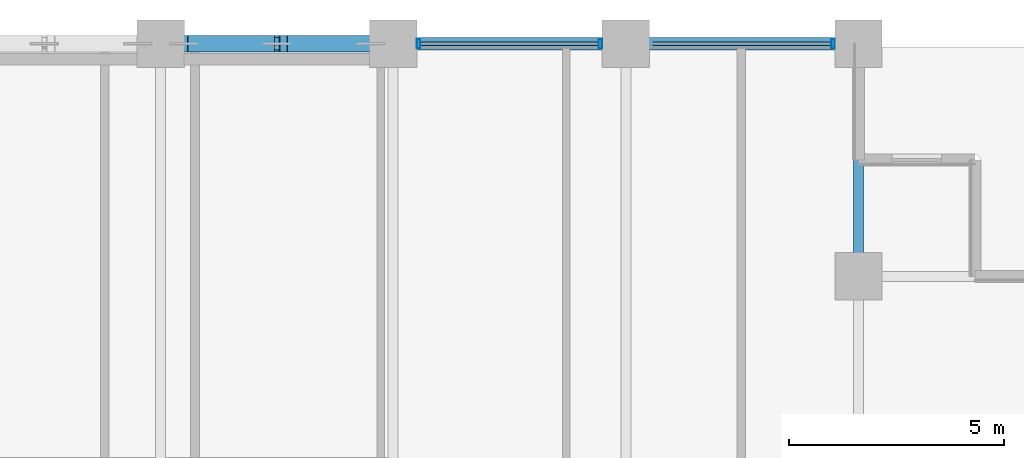
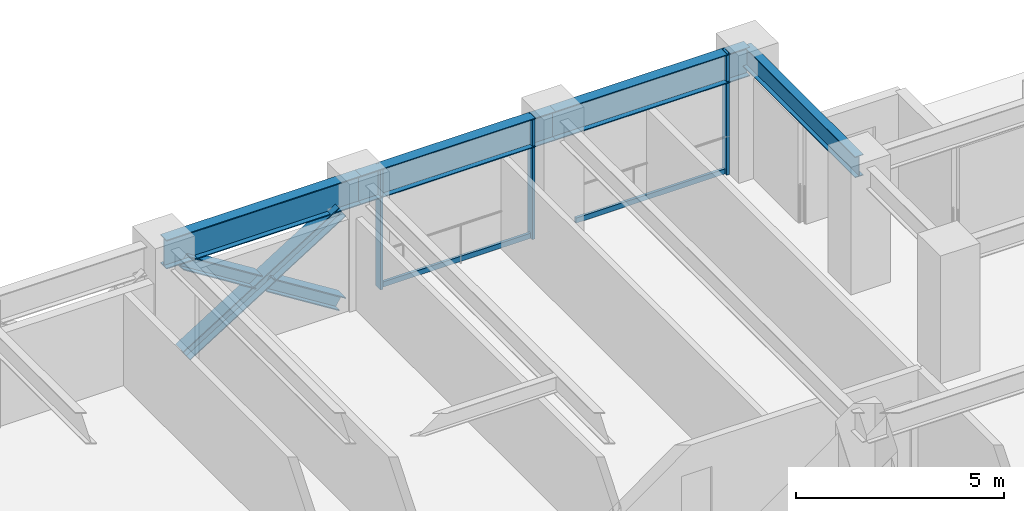
# One storey, part 17 of 30: 8 members, 4 beams, 1 element without a shape of its own.
"""IFC4 building model written with IfcOpenShell, lengths in metres."""

from ifc_helpers import new_model, si_unit, direction, frame, origin, origin_2d, place, context, subcontext, project, spatial, hollow_rectangle, i_section, extrude, material, layer, layer_set, material_profile, profile_set, type_object, element, aggregate, save


model = new_model("IFC4")

# Units and contexts
model_context = context("Model", 3, precision=1e-05, world=origin(), true_north=direction((0.0, 1.0)))
body_context = subcontext(model_context, "Body", "Model", "MODEL_VIEW")
ifc_project = project(units=[si_unit("LENGTHUNIT", "METRE"), si_unit("AREAUNIT", "SQUARE_METRE"), si_unit("VOLUMEUNIT", "CUBIC_METRE"), si_unit("PLANEANGLEUNIT", "RADIAN"), si_unit("MASSUNIT", "GRAM", prefix="KILO")], contexts=[model_context])

# Site, building, storey
site_placement = place(None, origin())
site = spatial("IfcSite", under=ifc_project, at=site_placement, CompositionType="ELEMENT")
building_placement = place(site_placement, origin())
building = spatial("IfcBuilding", under=site, at=building_placement, Name="Surkhivell Harbour Commons", CompositionType="ELEMENT")
storey_placement = place(building_placement, frame((0.0, 0.0, 83.25)))
storey = spatial("IfcBuildingStorey", under=building, at=storey_placement, Name="L21", CompositionType="ELEMENT", Elevation=83.25)

# Beams
ifc_material_1 = material(Name="Steel S355", Category="steel")
ifc_material_profile_1 = material_profile(ifc_material_1, i_section(OverallWidth=0.22998046875, OverallDepth=0.616943359375, WebThickness=0.01318359375, FlangeThickness=0.022216796875, at=origin_2d()), Name="UB610x229x140")
ifc_profile_set_1 = profile_set([ifc_material_profile_1], Name="Steel S355")
beam_type_1 = type_object("IfcBeamType", Name="BM-GRD-610B", PredefinedType="BEAM", material=ifc_profile_set_1)
beam_1_placement = place(storey_placement, frame((16.199951171875, 20.5, 3.261474609375), z_axis=(0.0, 1.0, 0.0), x_axis=(-1.0, 0.0, 0.0)))
element("IfcBeam", 1, at=beam_1_placement, inside=storey, type_object=beam_type_1, Name="L21 Floor Girder (16.2,20.5)", PredefinedType="BEAM", context=body_context, shape_type="SweptSolid", body=[
    extrude(i_section(OverallWidth=0.22998046875, OverallDepth=0.616943359375, WebThickness=0.01318359375, FlangeThickness=0.022216796875, at=origin_2d()), origin(), (0.0, 0.0, 1.0), 5.39990234375),
])
ifc_material_2 = material(Name="Steel S460", Category="steel")
ifc_material_profile_2 = material_profile(ifc_material_2, i_section(OverallWidth=0.2939453125, OverallDepth=0.85107421875, WebThickness=0.01611328125, FlangeThickness=0.02685546875, at=origin_2d()), Name="UB838x292x226")
ifc_profile_set_2 = profile_set([ifc_material_profile_2], Name="Steel S460")
beam_type_2 = type_object("IfcBeamType", Name="BM-SPN-838", PredefinedType="SPANDREL", material=ifc_profile_set_2)
beam_2_placement = place(storey_placement, frame((0.0, 25.89990234375, 3.14453125), z_axis=(1.0, 0.0, 0.0), x_axis=(0.0, 1.0, 0.0)))
element("IfcBeam", 2, at=beam_2_placement, inside=storey, type_object=beam_type_2, Name="L21 Tube Spandrel (-0.0,25.9)", PredefinedType="SPANDREL", context=body_context, shape_type="SweptSolid", body=[
    extrude(i_section(OverallWidth=0.2939453125, OverallDepth=0.85107421875, WebThickness=0.01611328125, FlangeThickness=0.02685546875, at=origin_2d()), origin(), (0.0, 0.0, 1.0), 5.39990234375),
])
beam_3_placement = place(storey_placement, frame((5.39990234375, 25.89990234375, 3.14453125), z_axis=(1.0, 0.0, 0.0), x_axis=(0.0, 1.0, 0.0)))
element("IfcBeam", 3, at=beam_3_placement, inside=storey, type_object=beam_type_2, Name="L21 Tube Spandrel (5.4,25.9)", PredefinedType="SPANDREL", context=body_context, shape_type="SweptSolid", body=[
    extrude(i_section(OverallWidth=0.2939453125, OverallDepth=0.85107421875, WebThickness=0.01611328125, FlangeThickness=0.02685546875, at=origin_2d()), origin(), (0.0, 0.0, 1.0), 5.400146484375),
])
beam_4_placement = place(storey_placement, frame((10.800048828125, 25.89990234375, 3.14453125), z_axis=(1.0, 0.0, 0.0), x_axis=(0.0, 1.0, 0.0)))
element("IfcBeam", 4, at=beam_4_placement, inside=storey, type_object=beam_type_2, Name="L21 Tube Spandrel (10.8,25.9)", PredefinedType="SPANDREL", context=body_context, shape_type="SweptSolid", body=[
    extrude(i_section(OverallWidth=0.2939453125, OverallDepth=0.85107421875, WebThickness=0.01611328125, FlangeThickness=0.02685546875, at=origin_2d()), origin(), (0.0, 0.0, 1.0), 5.39990234375),
])

# Curtain wall, members
ifc_material_3 = material(Name="Anodised pale-metal aluminium and insulated glazing", Category="aluminium")
ifc_layer = layer(ifc_material_3, 0.205078125)
ifc_layer_set = layer_set([ifc_layer], Name="Anodised pale-metal aluminium and insulated glazing")
curtain_wall_type = type_object("IfcCurtainWallType", Name="CW-SYS-Z2", PredefinedType="NOTDEFINED", material=ifc_layer_set)
curtain_wall_placement = place(storey_placement, origin())
curtain_wall = element("IfcCurtainWall", 5, at=curtain_wall_placement, inside=storey, type_object=curtain_wall_type, Name="L21 Curtain Wall CW-L21-E07S1", PredefinedType="NOTDEFINED")
ifc_material_4 = material(Name="Anodised pale-metal aluminium alloy 6063-T6", Category="aluminium")
ifc_material_profile_3 = material_profile(ifc_material_4, hollow_rectangle(XDim=0.074951171875, YDim=0.219970703125, WallThickness=0.00390625, at=origin_2d()), Name="ALU-MULL-75x220")
ifc_profile_set_3 = profile_set([ifc_material_profile_3], Name="Anodised pale-metal aluminium alloy 6063-T6")
member_type_1 = type_object("IfcMemberType", Name="CWM-220", PredefinedType="MULLION", material=ifc_profile_set_3)
member_1_placement = place(storey_placement, frame((15.610595703125, 25.89990234375, 0.0), z_axis=(0.0, 0.0, 1.0), x_axis=(-1.0, 0.0, 0.0)))
member_1 = element("IfcMember", 6, at=member_1_placement, type_object=member_type_1, Name="CW-Z2 mullion 1", PredefinedType="MULLION", context=body_context, shape_type="SweptSolid", body=[
    extrude(hollow_rectangle(XDim=0.074951171875, YDim=0.219970703125, WallThickness=0.00390625, at=origin_2d()), origin(), (0.0, 0.0, 1.0), 3.570068359375),
])
member_2_placement = place(storey_placement, frame((10.21044921875, 25.89990234375, 0.0), z_axis=(0.0, 0.0, 1.0), x_axis=(-1.0, 0.0, 0.0)))
member_2 = element("IfcMember", 7, at=member_2_placement, type_object=member_type_1, Name="CW-Z2 mullion 2", PredefinedType="MULLION", context=body_context, shape_type="SweptSolid", body=[
    extrude(hollow_rectangle(XDim=0.074951171875, YDim=0.219970703125, WallThickness=0.00390625, at=origin_2d()), origin(), (0.0, 0.0, 1.0), 3.570068359375),
])
member_3_placement = place(storey_placement, frame((5.989501953125, 25.89990234375, 0.0), z_axis=(0.0, 0.0, 1.0), x_axis=(-1.0, 0.0, 0.0)))
member_3 = element("IfcMember", 8, at=member_3_placement, type_object=member_type_1, Name="CW-Z2 mullion 3", PredefinedType="MULLION", context=body_context, shape_type="SweptSolid", body=[
    extrude(hollow_rectangle(XDim=0.074951171875, YDim=0.219970703125, WallThickness=0.00390625, at=origin_2d()), origin(), (0.0, 0.0, 1.0), 3.570068359375),
])
ifc_material_profile_4 = material_profile(ifc_material_4, hollow_rectangle(XDim=0.074951171875, YDim=0.14990234375, WallThickness=0.00341796875, at=origin_2d()), Name="ALU-TRAN-75x150")
ifc_profile_set_4 = profile_set([ifc_material_profile_4], Name="Anodised pale-metal aluminium alloy 6063-T6")
member_type_2 = type_object("IfcMemberType", Name="CWT-150", PredefinedType="USERDEFINED", material=ifc_profile_set_4)
member_4_placement = place(storey_placement, frame((15.572998046875, 25.89990234375, 0.074951171875), z_axis=(-1.0, 0.0, 0.0), x_axis=(0.0, -1.0, 0.0)))
member_4 = element("IfcMember", 9, at=member_4_placement, type_object=member_type_2, Name="CW-Z2 transom 1.1", ObjectType="TRANSOM", PredefinedType="USERDEFINED", context=body_context, shape_type="SweptSolid", body=[
    extrude(hollow_rectangle(XDim=0.074951171875, YDim=0.14990234375, WallThickness=0.00341796875, at=origin_2d()), origin(), (0.0, 0.0, 1.0), 4.14599609375),
])
member_5_placement = place(storey_placement, frame((10.173095703125, 25.89990234375, 0.074951171875), z_axis=(-1.0, 0.0, 0.0), x_axis=(0.0, -1.0, 0.0)))
member_5 = element("IfcMember", 10, at=member_5_placement, type_object=member_type_2, Name="CW-Z2 transom 2.1", ObjectType="TRANSOM", PredefinedType="USERDEFINED", context=body_context, shape_type="SweptSolid", body=[
    extrude(hollow_rectangle(XDim=0.074951171875, YDim=0.14990234375, WallThickness=0.00341796875, at=origin_2d()), origin(), (0.0, 0.0, 1.0), 4.14599609375),
])
aggregate(curtain_wall, [member_1, member_4, member_2, member_3, member_5])

# Members
ifc_material_profile_5 = material_profile(ifc_material_2, i_section(OverallWidth=0.375, OverallDepth=0.375, WebThickness=0.0166015625, FlangeThickness=0.027099609375, at=origin_2d()), Name="UC356x368x202")
ifc_profile_set_5 = profile_set([ifc_material_profile_5], Name="Steel S460")
member_type_3 = type_object("IfcMemberType", Name="MEM-BRC-UC356", PredefinedType="BRACE", material=ifc_profile_set_5)
member_6_placement = place(storey_placement, frame((0.534912109375, 25.89990234375, 0.008056640625), z_axis=(0.847246015888, 0.0, 0.531200704594), x_axis=(0.0, 1.0, 0.0)))
element("IfcMember", 11, at=member_6_placement, inside=storey, type_object=member_type_3, Name="L21 Perimeter Mega-Brace MB- 04", PredefinedType="BRACE", context=body_context, shape_type="SweptSolid", body=[
    extrude(i_section(OverallWidth=0.375, OverallDepth=0.375, WebThickness=0.0166015625, FlangeThickness=0.027099609375, at=origin_2d()), origin(), (0.0, 0.0, 1.0), 5.11083984375),
])
for number, where, z_axis, x_axis, name in (
    (12, (4.864990234375, 25.89990234375, 0.008056640625), (-0.847206308526, 0.0, 0.53126403115), (0.0, -1.0, 0.0), "L21 Perimeter Mega-Brace MB- 05"),
    (13, (2.547607421875, 25.89990234375, 1.461181640625), (-0.847281565812, 0.0, 0.531143999529), (0.0, -1.0, 0.0), "L21 Perimeter Mega-Brace MB- 06"),
):
    element("IfcMember", number, at=place(storey_placement, frame(where, z_axis=z_axis, x_axis=x_axis)), inside=storey, type_object=member_type_3, Name=name, PredefinedType="BRACE", context=body_context, shape_type="SweptSolid", body=[
        extrude(i_section(OverallWidth=0.375, OverallDepth=0.375, WebThickness=0.0166015625, FlangeThickness=0.027099609375, at=origin_2d()), origin(), (0.0, 0.0, 1.0), 2.37548828125),
    ])

save(model, "model.ifc")
